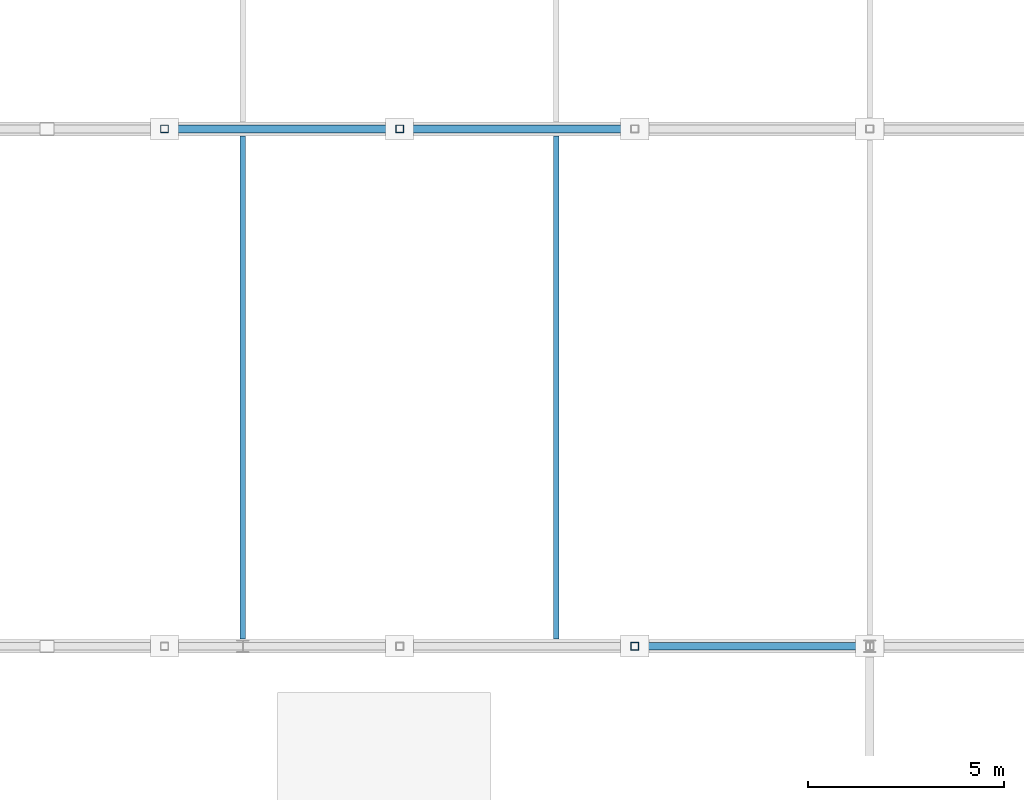
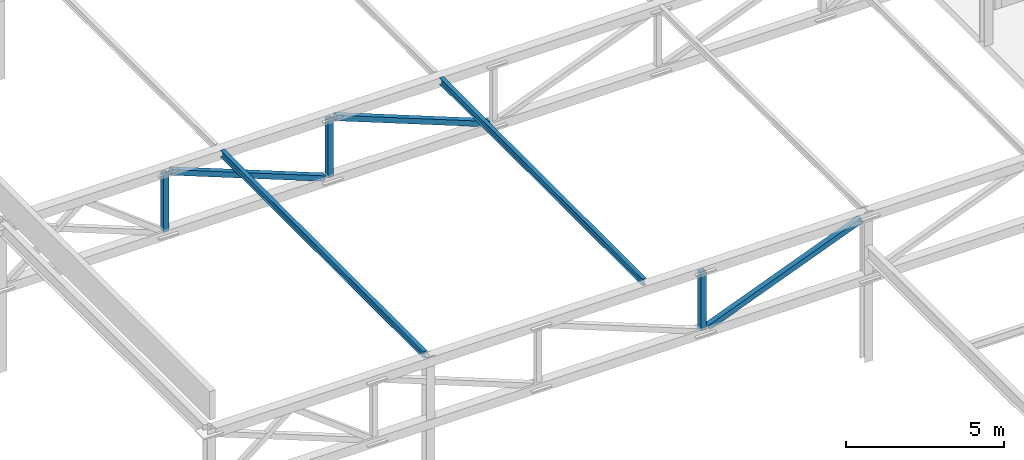
# One storey, part 49 of 122: 8 members.
"""IFC4 building model written with IfcOpenShell, lengths in metres."""

import ifcopenshell
import ifcopenshell.guid

model = None  # the IFC model being written
_history = None  # IfcOwnerHistory: only IFC2X3 demands one
_inside = {}  # id of a spatial element -> (the spatial element, [elements in it])
_under = {}  # id of a project, library or spatial element -> (it, [spatial elements below it])
_declared = {}  # id of a project -> (the project, [libraries it declares])
_typed = {}  # id of a type object -> (the type object, [elements of that type])
_made_of = {}  # id of a material, layer set ... -> (it, [elements and type objects made of it])


def new_model(schema):
    """Start an empty IFC model of exactly this schema.

    Asked for "IFC4X3", IfcOpenShell would pick the latest addendum, in which some entities
    have other attributes; the version numbers below select the first issue.
    IFC2X3 requires an IfcOwnerHistory on every rooted entity: one is made here for all.
    """
    global model, _history
    if schema == "IFC4X3":
        model = ifcopenshell.file(schema_version=(4, 3, 0, 0))
    else:
        model = ifcopenshell.file(schema=schema)
    _inside.clear()
    _under.clear()
    _declared.clear()
    _typed.clear()
    _made_of.clear()
    _history = None
    if model.schema == "IFC2X3":
        org = make("IfcOrganization", Name="unknown")
        user = make(
            "IfcPersonAndOrganization",
            ThePerson=make("IfcPerson", FamilyName="unknown"),
            TheOrganization=org,
        )
        app = make(
            "IfcApplication",
            ApplicationDeveloper=org,
            Version="unknown",
            ApplicationFullName="unknown",
            ApplicationIdentifier="unknown",
        )
        _history = make(
            "IfcOwnerHistory",
            OwningUser=user,
            OwningApplication=app,
            ChangeAction="ADDED",
            CreationDate=0,
        )
    return model


def make(cls, **values):
    """One entity of the class cls with the attributes given. An attribute that is None is left unset."""
    return model.create_entity(
        cls, **{name: value for name, value in values.items() if value is not None}
    )


def rooted(cls, **values):
    """An entity with a GlobalId (a new one), such as an element, a storey or a relation."""
    return make(cls, GlobalId=ifcopenshell.guid.new(), OwnerHistory=_history, **values)


def si_unit(unit_type, name, prefix=None):
    """IfcSIUnit, for example si_unit("LENGTHUNIT", "METRE", prefix="MILLI")."""
    return make("IfcSIUnit", UnitType=unit_type, Prefix=prefix, Name=name)


def assignment(units):
    """IfcUnitAssignment: the units of a project."""
    return None if units is None else make("IfcUnitAssignment", Units=units)


def point(xyz):
    """IfcCartesianPoint."""
    return None if xyz is None else make("IfcCartesianPoint", Coordinates=xyz)


def direction(xyz):
    """IfcDirection."""
    return None if xyz is None else make("IfcDirection", DirectionRatios=xyz)


def frame(location, z_axis=None, x_axis=None):
    """IfcAxis2Placement3D, a coordinate frame: its origin and axes. An axis left out is left unset."""
    return make(
        "IfcAxis2Placement3D",
        Location=point(location),
        Axis=direction(z_axis),
        RefDirection=direction(x_axis),
    )


def frame_2d(location, x_axis=None):
    """IfcAxis2Placement2D, a coordinate frame in the plane: its origin and x axis."""
    return make(
        "IfcAxis2Placement2D", Location=point(location), RefDirection=direction(x_axis)
    )


def origin():
    """The frame at (0, 0, 0) with its axes left unset."""
    return frame((0.0, 0.0, 0.0))


def origin_2d():
    """The frame at (0, 0) in the plane with its x axis left unset."""
    return frame_2d((0.0, 0.0))


def place(relative_to, where):
    """IfcLocalPlacement: puts the frame where relative to a parent placement (None: the world)."""
    return make(
        "IfcLocalPlacement", PlacementRelTo=relative_to, RelativePlacement=where
    )


def context(
    kind, dimensions, precision=None, world=None, true_north=None, identifier=None
):
    """IfcGeometricRepresentationContext, for example the 3D "Model" context."""
    return make(
        "IfcGeometricRepresentationContext",
        ContextIdentifier=identifier,
        ContextType=kind,
        CoordinateSpaceDimension=dimensions,
        Precision=precision,
        WorldCoordinateSystem=world,
        TrueNorth=true_north,
    )


def subcontext(parent, identifier, kind, view, scale=None):
    """IfcGeometricRepresentationSubContext, for example "Body" below "Model"."""
    return make(
        "IfcGeometricRepresentationSubContext",
        ContextIdentifier=identifier,
        ContextType=kind,
        ParentContext=parent,
        TargetScale=scale,
        TargetView=view,
    )


def project(units=None, contexts=None):
    """IfcProject with its units and contexts."""
    return rooted(
        "IfcProject",
        Name="project",
        RepresentationContexts=contexts,
        UnitsInContext=assignment(units),
    )


def spatial(cls, under=None, at=None, **own):
    """A site, building, storey or space (cls), placed at a placement, below another one or the project."""
    s = rooted(cls, ObjectPlacement=at, **own)
    if under is not None:
        _under.setdefault(under.id(), (under, []))[1].append(s)
    return s


def profile(cls, at=None, kind="AREA", **sizes):
    """A parametric profile (cls). Its sizes go by their IFC names, for example OverallWidth=200.0."""
    return make(cls, ProfileType=kind, Position=at, **sizes)


def hollow_rectangle(**sizes):
    """IfcRectangleHollowProfileDef."""
    return profile("IfcRectangleHollowProfileDef", **sizes)


def i_section(**sizes):
    """IfcIShapeProfileDef."""
    return profile("IfcIShapeProfileDef", **sizes)


def extrude(swept, where, along, depth):
    """IfcExtrudedAreaSolid: the profile swept, set in the frame where, extruded along a direction by depth."""
    return make(
        "IfcExtrudedAreaSolid",
        SweptArea=swept,
        Position=where,
        ExtrudedDirection=direction(along),
        Depth=depth,
    )


def shape(context_of_items, identifier, shape_type, items):
    """IfcShapeRepresentation: the items that make up one representation, for example the "Body"."""
    return make(
        "IfcShapeRepresentation",
        ContextOfItems=context_of_items,
        RepresentationIdentifier=identifier,
        RepresentationType=shape_type,
        Items=items,
    )


def material(Name=None, Category=None):
    """IfcMaterial."""
    return make("IfcMaterial", Name=Name, Category=Category)


def material_profile(
    of_material, cross_section, Name=None, Category=None, Priority=None
):
    """IfcMaterialProfile: a cross section and its material."""
    return make(
        "IfcMaterialProfile",
        Name=Name,
        Material=of_material,
        Profile=cross_section,
        Priority=Priority,
        Category=Category,
    )


def profile_set(profiles, Name=None, composite=None):
    """IfcMaterialProfileSet."""
    return make(
        "IfcMaterialProfileSet",
        Name=Name,
        MaterialProfiles=profiles,
        CompositeProfile=composite,
    )


def made_of(thing, what):
    """Note that an element or type object is made of a material, layer set ...; save() writes the relation."""
    if what is not None:
        _made_of.setdefault(what.id(), (what, []))[1].append(thing)
    return thing


def type_object(cls, material=None, **own):
    """A type object (cls), such as IfcWallType, which elements share."""
    return made_of(rooted(cls, **own), material)


def element(
    cls,
    number,
    at=None,
    inside=None,
    cuts=None,
    type_object=None,
    material=None,
    context=None,
    identifier="Body",
    shape_type=None,
    held_by="IfcProductDefinitionShape",
    body=None,
    shapes=None,
    **own,
):
    """One element of the class cls, such as IfcWall. Its Tag is "e" and its number.

    at: its placement. inside: the storey or other place that contains it. cuts: it is an
    opening in that element (IfcRelVoidsElement). A single representation is given by context,
    identifier, shape_type and body (its items); several are given by shapes. held_by: the class
    of the entity that holds the representations. save() writes the other relations.
    """
    e = rooted(cls, Tag="e%d" % number, ObjectPlacement=at, **own)
    if body is not None:
        shapes = [shape(context, identifier, shape_type, body)]
    if shapes is not None:
        e.Representation = make(held_by, Representations=shapes)
    if inside is not None:
        _inside.setdefault(inside.id(), (inside, []))[1].append(e)
    if cuts is not None:
        rooted(
            "IfcRelVoidsElement", RelatingBuildingElement=cuts, RelatedOpeningElement=e
        )
    if type_object is not None:
        _typed.setdefault(type_object.id(), (type_object, []))[1].append(e)
    return made_of(e, material)


def aggregate(whole, parts):
    """IfcRelAggregates: a whole, such as a stair, and the parts it consists of."""
    return rooted("IfcRelAggregates", RelatingObject=whole, RelatedObjects=parts)


def save(model, path):
    """Write the relations noted so far, then the file.

    IfcRelAggregates (storeys below a building ...), IfcRelContainedInSpatialStructure (elements
    in a storey), IfcRelDefinesByType, IfcRelAssociatesMaterial and IfcRelDeclares: one each for
    every whole, place, type object, material and project.
    """
    for whole, parts in _under.values():
        aggregate(whole, parts)
    for where, things in _inside.values():
        rooted(
            "IfcRelContainedInSpatialStructure",
            RelatedElements=things,
            RelatingStructure=where,
        )
    for kind, things in _typed.values():
        rooted("IfcRelDefinesByType", RelatedObjects=things, RelatingType=kind)
    for what, things in _made_of.values():
        rooted("IfcRelAssociatesMaterial", RelatedObjects=things, RelatingMaterial=what)
    for by, libraries in _declared.values():
        rooted("IfcRelDeclares", RelatingContext=by, RelatedDefinitions=libraries)
    model.write(path)


model = new_model("IFC4")

# Units and contexts
model_context = context("Model", 3, precision=1e-05, world=origin(), true_north=direction((0.0, 1.0)))
body_context = subcontext(model_context, "Body", "Model", "MODEL_VIEW")
ifc_project = project(units=[si_unit("LENGTHUNIT", "METRE"), si_unit("AREAUNIT", "SQUARE_METRE"), si_unit("VOLUMEUNIT", "CUBIC_METRE"), si_unit("PLANEANGLEUNIT", "RADIAN"), si_unit("MASSUNIT", "GRAM", prefix="KILO")], contexts=[model_context])

# Site, building, storey
site_placement = place(None, origin())
site = spatial("IfcSite", under=ifc_project, at=site_placement, CompositionType="ELEMENT")
building_placement = place(site_placement, origin())
building = spatial("IfcBuilding", under=site, at=building_placement, Name="Cuetzalor Civic Arena", CompositionType="ELEMENT")
storey_placement = place(building_placement, frame((0.0, 0.0, 16.199951171875)))
storey = spatial("IfcBuildingStorey", under=building, at=storey_placement, Name="L03", CompositionType="ELEMENT", Elevation=16.199951171875)

# Members
ifc_material_1 = material(Name="Steel S355", Category="steel")
ifc_material_profile_1 = material_profile(ifc_material_1, hollow_rectangle(XDim=0.199951171875, YDim=0.199951171875, WallThickness=0.010009765625, at=origin_2d()), Name="RHS 200x200x10")
ifc_profile_set_1 = profile_set([ifc_material_profile_1], Name="Steel S355")
member_type_1 = type_object("IfcMemberType", Name="PrattTrussWeb_RHS200", PredefinedType="STRUT", material=ifc_profile_set_1)
member_1_placement = place(storey_placement, frame((-53.800048828125, 48.300048828125, 3.300048828125), z_axis=(0.930756425373, 0.0, 0.365639818164), x_axis=(0.0, 1.0, 0.0)))
element("IfcMember", 1, at=member_1_placement, inside=storey, type_object=member_type_1, Name="Practice Court Pratt Diagonal T1-4", PredefinedType="STRUT", context=body_context, shape_type="SweptSolid", body=[
    extrude(hollow_rectangle(XDim=0.199951171875, YDim=0.199951171875, WallThickness=0.010009765625, at=origin_2d()), origin(), (0.0, 0.0, 1.0), 6.0166015625),
])
member_2_placement = place(storey_placement, frame((-54.0, 48.300048828125, 3.280029296875), z_axis=(0.0, 0.0, 1.0), x_axis=(1.0, 0.0, 0.0)))
element("IfcMember", 2, at=member_2_placement, inside=storey, type_object=member_type_1, Name="Practice Court Pratt Vertical T1-3", PredefinedType="STRUT", context=body_context, shape_type="SweptSolid", body=[
    extrude(hollow_rectangle(XDim=0.199951171875, YDim=0.199951171875, WallThickness=0.010009765625, at=origin_2d()), origin(), (0.0, 0.0, 1.0), 2.239990234375),
])
for number, where, z_axis, x_axis, name in (
    (3, (-65.800048828125, 61.5, 5.5), (0.930756425373, 0.0, -0.365639818164), (0.0, 1.0, 0.0), "Practice Court Pratt Diagonal T2-2"),
    (4, (-59.800048828125, 61.5, 5.5), (0.930756425373, 0.0, -0.365639818164), (0.0, 1.0, 0.0), "Practice Court Pratt Diagonal T2-3"),
):
    element("IfcMember", number, at=place(storey_placement, frame(where, z_axis=z_axis, x_axis=x_axis)), inside=storey, type_object=member_type_1, Name=name, PredefinedType="STRUT", context=body_context, shape_type="SweptSolid", body=[
        extrude(hollow_rectangle(XDim=0.199951171875, YDim=0.199951171875, WallThickness=0.010009765625, at=origin_2d()), origin(), (0.0, 0.0, 1.0), 6.0166015625),
    ])
for number, where, z_axis, x_axis, name in (
    (5, (-66.0, 61.5, 3.280029296875), (0.0, 0.0, 1.0), (1.0, 0.0, 0.0), "Practice Court Pratt Vertical T2-1"),
    (6, (-60.0, 61.5, 3.280029296875), (0.0, 0.0, 1.0), (1.0, 0.0, 0.0), "Practice Court Pratt Vertical T2-2"),
):
    element("IfcMember", number, at=place(storey_placement, frame(where, z_axis=z_axis, x_axis=x_axis)), inside=storey, type_object=member_type_1, Name=name, PredefinedType="STRUT", context=body_context, shape_type="SweptSolid", body=[
        extrude(hollow_rectangle(XDim=0.199951171875, YDim=0.199951171875, WallThickness=0.010009765625, at=origin_2d()), origin(), (0.0, 0.0, 1.0), 2.239990234375),
    ])
ifc_material_2 = material(Name="Steel S355", Category="steel")
ifc_material_profile_2 = material_profile(ifc_material_2, i_section(OverallWidth=0.14697265625, OverallDepth=0.261962890625, WebThickness=0.00634765625, FlangeThickness=0.01123046875, at=origin_2d()), Name="W250x39")
ifc_profile_set_2 = profile_set([ifc_material_profile_2], Name="Steel S355")
member_type_2 = type_object("IfcMemberType", Name="RoofDeckPurlin_W250", PredefinedType="PURLIN", material=ifc_profile_set_2)
for number, where, z_axis, x_axis, name in (
    (7, (-64.0, 48.47998046875, 5.6689453125), (0.0, 1.0, 0.0), (-1.0, 0.0, 0.0), "Practice Court Monitor Roof Purlin 1-1"),
    (8, (-56.0, 48.47998046875, 5.6689453125), (0.0, 1.0, 0.0), (-1.0, 0.0, 0.0), "Practice Court Monitor Roof Purlin 2-1"),
):
    element("IfcMember", number, at=place(storey_placement, frame(where, z_axis=z_axis, x_axis=x_axis)), inside=storey, type_object=member_type_2, Name=name, PredefinedType="PURLIN", context=body_context, shape_type="SweptSolid", body=[
        extrude(i_section(OverallWidth=0.14697265625, OverallDepth=0.261962890625, WebThickness=0.00634765625, FlangeThickness=0.01123046875, at=origin_2d()), origin(), (0.0, 0.0, 1.0), 12.840087890625),
    ])

save(model, "model.ifc")
